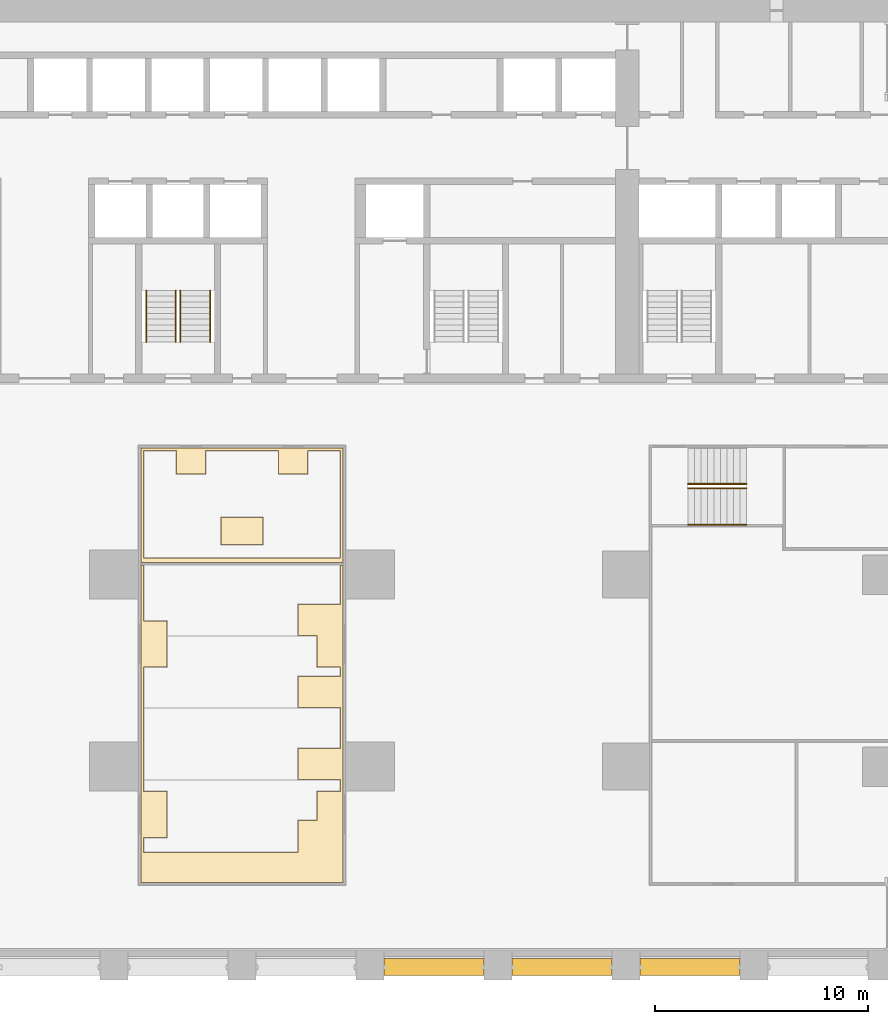
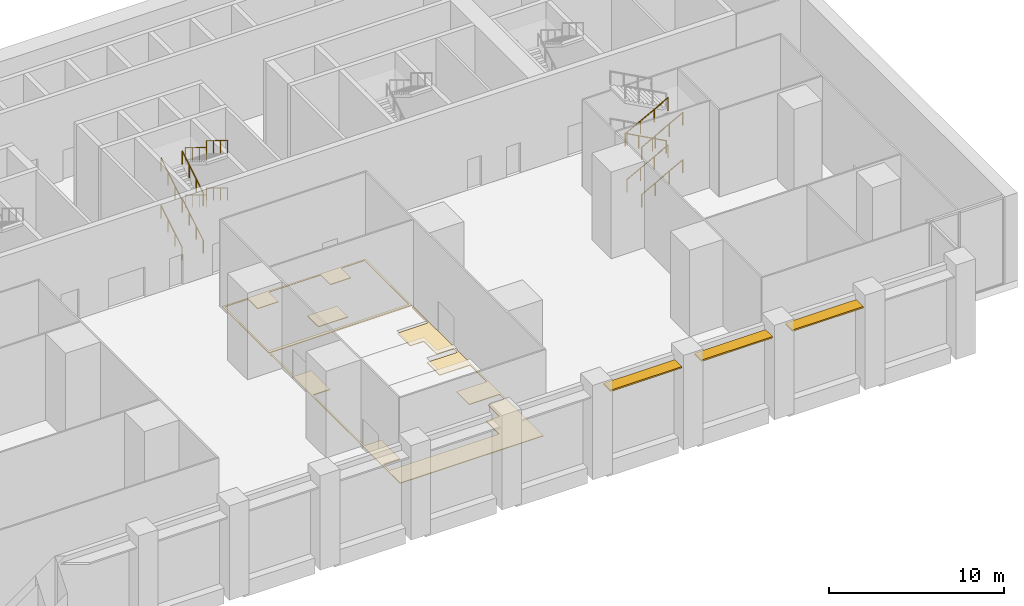
# One storey, part 17 of 18: 13 railings, 3 coverings, 3 shading devices, 2 elements without a shape of their own.
"""IFC4 building model written with IfcOpenShell, lengths in metres."""

from ifc_helpers import new_model, si_unit, direction, frame, origin, origin_2d, place, context, subcontext, project, spatial, polyline, rectangle, circle, outline, extrude, material, layer, layer_set, material_profile, profile_set, type_object, element, aggregate, save


model = new_model("IFC4")

# Units and contexts
model_context = context("Model", 3, precision=1e-05, world=origin(), true_north=direction((0.0, 1.0)))
body_context = subcontext(model_context, "Body", "Model", "MODEL_VIEW")
ifc_project = project(units=[si_unit("LENGTHUNIT", "METRE"), si_unit("AREAUNIT", "SQUARE_METRE"), si_unit("VOLUMEUNIT", "CUBIC_METRE"), si_unit("PLANEANGLEUNIT", "RADIAN"), si_unit("MASSUNIT", "GRAM", prefix="KILO")], contexts=[model_context])

# Site, building, storey
site_placement = place(None, origin())
site = spatial("IfcSite", under=ifc_project, at=site_placement, CompositionType="ELEMENT")
building_placement = place(site_placement, origin())
building = spatial("IfcBuilding", under=site, at=building_placement, Name="Calvaro Tower", CompositionType="ELEMENT")
storey_placement = place(building_placement, frame((0.0, 0.0, 11.300048828125)))
storey = spatial("IfcBuildingStorey", under=building, at=storey_placement, Name="L02", CompositionType="ELEMENT", Elevation=11.300048828125)

# Shading devices
ifc_material_1 = material(Name="Anodised aluminium", Category="aluminium")
ifc_material_profile = material_profile(ifc_material_1, rectangle(XDim=0.800048828125, YDim=0.10009765625, at=origin_2d()), Name="Brise-soleil blade 800 x 100")
ifc_profile_set = profile_set([ifc_material_profile], Name="Anodised aluminium")
shading_device_type = type_object("IfcShadingDeviceType", Name="Brise-soleil blade 800 x 100", PredefinedType="JALOUSIE", material=ifc_profile_set)
for number, where, z_axis, x_axis, name in (
    (1, (48.64990234375, 0.60009765625, 5.14990234375), (1.0, 0.0, 0.0), (0.0, 1.0, 0.0), "Brise-soleil blade 8"),
    (2, (54.64990234375, 0.60009765625, 5.14990234375), (1.0, 0.0, 0.0), (0.0, 1.0, 0.0), "Brise-soleil blade 9"),
    (3, (60.64990234375, 0.60009765625, 5.14990234375), (1.0, 0.0, 0.0), (0.0, 1.0, 0.0), "Brise-soleil blade 10"),
):
    element("IfcShadingDevice", number, at=place(storey_placement, frame(where, z_axis=z_axis, x_axis=x_axis)), inside=storey, type_object=shading_device_type, Name=name, PredefinedType="JALOUSIE", context=body_context, shape_type="SweptSolid", body=[
        extrude(rectangle(XDim=0.800048828125, YDim=0.10009765625, at=origin_2d()), origin(), (0.0, 0.0, 1.0), 4.7001953125),
    ])

# Coverings
ifc_material_2 = material(Name="Cement screed with carpet tile finish")
ifc_layer = layer(ifc_material_2, 0.050048828125)
ifc_layer_set = layer_set([ifc_layer], Name="Cement screed with carpet tile finish")
covering_type = type_object("IfcCoveringType", Name="Floor finish 50", PredefinedType="FLOORING", material=ifc_layer_set)
covering_1_placement = place(storey_placement, origin())
element("IfcCovering", 4, at=covering_1_placement, inside=storey, type_object=covering_type, Name="Floor finish 05.05", PredefinedType="FLOORING", context=body_context, shape_type="SweptSolid", body=[
    extrude(outline(polyline([(37.27001953125, 19.429931640625), (37.3798828125, 19.429931640625), (37.3798828125, 16.85009765625), (37.380126953125, 16.847900390625), (37.38037109375, 16.84619140625), (37.380859375, 16.84423828125), (37.381591796875, 16.84228515625), (37.38232421875, 16.840576171875), (37.38330078125, 16.8388671875), (37.384521484375, 16.83740234375), (37.385986328125, 16.8359375), (37.38720703125, 16.83447265625), (37.388916015625, 16.83349609375), (37.390625, 16.83251953125), (37.392333984375, 16.83154296875), (37.394287109375, 16.830810546875), (37.39599609375, 16.830322265625), (37.39794921875, 16.830078125), (37.39990234375, 16.830078125), (38.47998046875, 16.830078125), (38.47998046875, 14.669921875), (37.39990234375, 14.669921875), (37.39794921875, 14.669921875), (37.39599609375, 14.669677734375), (37.394287109375, 14.669189453125), (37.392333984375, 14.66845703125), (37.390625, 14.66748046875), (37.388916015625, 14.66650390625), (37.38720703125, 14.66552734375), (37.385986328125, 14.6640625), (37.384521484375, 14.66259765625), (37.38330078125, 14.6611328125), (37.38232421875, 14.659423828125), (37.381591796875, 14.65771484375), (37.380859375, 14.65576171875), (37.38037109375, 14.65380859375), (37.380126953125, 14.652099609375), (37.3798828125, 14.64990234375), (37.3798828125, 8.85009765625), (37.380126953125, 8.847900390625), (37.38037109375, 8.84619140625), (37.380859375, 8.84423828125), (37.381591796875, 8.84228515625), (37.38232421875, 8.840576171875), (37.38330078125, 8.8388671875), (37.384521484375, 8.83740234375), (37.385986328125, 8.8359375), (37.38720703125, 8.83447265625), (37.388916015625, 8.83349609375), (37.390625, 8.83251953125), (37.392333984375, 8.83154296875), (37.394287109375, 8.830810546875), (37.39599609375, 8.830322265625), (37.39794921875, 8.830078125), (37.39990234375, 8.830078125), (38.47998046875, 8.830078125), (38.47998046875, 6.669921875), (37.39990234375, 6.669921875), (37.39794921875, 6.669921875), (37.39599609375, 6.669677734375), (37.394287109375, 6.669189453125), (37.392333984375, 6.66845703125), (37.390625, 6.66748046875), (37.388916015625, 6.66650390625), (37.38720703125, 6.66552734375), (37.385986328125, 6.6640625), (37.384521484375, 6.66259765625), (37.38330078125, 6.6611328125), (37.38232421875, 6.659423828125), (37.381591796875, 6.65771484375), (37.380859375, 6.65576171875), (37.38037109375, 6.65380859375), (37.380126953125, 6.652099609375), (37.3798828125, 6.64990234375), (37.3798828125, 6.0), (37.380126953125, 5.998046875), (37.38037109375, 5.99609375), (37.380859375, 5.994140625), (37.381591796875, 5.9921875), (37.38232421875, 5.990478515625), (37.38330078125, 5.989013671875), (37.384521484375, 5.9873046875), (37.385986328125, 5.98583984375), (37.38720703125, 5.984619140625), (37.388916015625, 5.9833984375), (37.390625, 5.982421875), (37.392333984375, 5.9814453125), (37.394287109375, 5.98095703125), (37.39599609375, 5.98046875), (37.39794921875, 5.97998046875), (37.39990234375, 5.97998046875), (44.60009765625, 5.97998046875), (44.60205078125, 5.97998046875), (44.60400390625, 5.98046875), (44.605712890625, 5.98095703125), (44.607666015625, 5.9814453125), (44.609375, 5.982421875), (44.611083984375, 5.9833984375), (44.61279296875, 5.984619140625), (44.614013671875, 5.98583984375), (44.615478515625, 5.9873046875), (44.61669921875, 5.989013671875), (44.61767578125, 5.990478515625), (44.618408203125, 5.9921875), (44.619140625, 5.994140625), (44.61962890625, 5.99609375), (44.619873046875, 5.998046875), (44.6201171875, 6.0), (44.6201171875, 7.47998046875), (45.5, 7.47998046875), (45.501953125, 7.47998046875), (45.50390625, 7.48046875), (45.505859375, 7.48095703125), (45.5078125, 7.4814453125), (45.509521484375, 7.482421875), (45.510986328125, 7.4833984375), (45.5126953125, 7.484619140625), (45.51416015625, 7.48583984375), (45.515380859375, 7.4873046875), (45.5166015625, 7.489013671875), (45.517578125, 7.490478515625), (45.5185546875, 7.4921875), (45.51904296875, 7.494140625), (45.51953125, 7.49609375), (45.52001953125, 7.498046875), (45.52001953125, 7.5), (45.52001953125, 8.830078125), (46.60009765625, 8.830078125), (46.60205078125, 8.830078125), (46.60400390625, 8.830322265625), (46.605712890625, 8.830810546875), (46.607666015625, 8.83154296875), (46.609375, 8.83251953125), (46.611083984375, 8.83349609375), (46.61279296875, 8.83447265625), (46.614013671875, 8.8359375), (46.615478515625, 8.83740234375), (46.61669921875, 8.8388671875), (46.61767578125, 8.840576171875), (46.618408203125, 8.84228515625), (46.619140625, 8.84423828125), (46.61962890625, 8.84619140625), (46.619873046875, 8.847900390625), (46.6201171875, 8.85009765625), (46.6201171875, 9.375), (46.619873046875, 9.376953125), (46.61962890625, 9.37890625), (46.619140625, 9.380859375), (46.618408203125, 9.3828125), (46.61767578125, 9.384521484375), (46.61669921875, 9.385986328125), (46.615478515625, 9.3876953125), (46.614013671875, 9.38916015625), (46.61279296875, 9.390380859375), (46.611083984375, 9.3916015625), (46.609375, 9.392578125), (46.607666015625, 9.3935546875), (46.605712890625, 9.39404296875), (46.60400390625, 9.39453125), (46.60205078125, 9.39501953125), (46.60009765625, 9.39501953125), (44.6201171875, 9.39501953125), (44.6201171875, 10.85498046875), (46.60009765625, 10.85498046875), (46.60205078125, 10.85498046875), (46.60400390625, 10.85546875), (46.605712890625, 10.85595703125), (46.607666015625, 10.8564453125), (46.609375, 10.857421875), (46.611083984375, 10.8583984375), (46.61279296875, 10.859619140625), (46.614013671875, 10.86083984375), (46.615478515625, 10.8623046875), (46.61669921875, 10.864013671875), (46.61767578125, 10.865478515625), (46.618408203125, 10.8671875), (46.619140625, 10.869140625), (46.61962890625, 10.87109375), (46.619873046875, 10.873046875), (46.6201171875, 10.875), (46.6201171875, 12.75), (46.619873046875, 12.751953125), (46.61962890625, 12.75390625), (46.619140625, 12.755859375), (46.618408203125, 12.7578125), (46.61767578125, 12.759521484375), (46.61669921875, 12.760986328125), (46.615478515625, 12.7626953125), (46.614013671875, 12.76416015625), (46.61279296875, 12.765380859375), (46.611083984375, 12.7666015625), (46.609375, 12.767578125), (46.607666015625, 12.7685546875), (46.605712890625, 12.76904296875), (46.60400390625, 12.76953125), (46.60205078125, 12.77001953125), (46.60009765625, 12.77001953125), (44.6201171875, 12.77001953125), (44.6201171875, 14.22998046875), (46.60009765625, 14.22998046875), (46.60205078125, 14.22998046875), (46.60400390625, 14.23046875), (46.605712890625, 14.23095703125), (46.607666015625, 14.2314453125), (46.609375, 14.232421875), (46.611083984375, 14.2333984375), (46.61279296875, 14.234619140625), (46.614013671875, 14.23583984375), (46.615478515625, 14.2373046875), (46.61669921875, 14.239013671875), (46.61767578125, 14.240478515625), (46.618408203125, 14.2421875), (46.619140625, 14.244140625), (46.61962890625, 14.24609375), (46.619873046875, 14.248046875), (46.6201171875, 14.25), (46.6201171875, 14.64990234375), (46.619873046875, 14.652099609375), (46.61962890625, 14.65380859375), (46.619140625, 14.65576171875), (46.618408203125, 14.65771484375), (46.61767578125, 14.659423828125), (46.61669921875, 14.6611328125), (46.615478515625, 14.66259765625), (46.614013671875, 14.6640625), (46.61279296875, 14.66552734375), (46.611083984375, 14.66650390625), (46.609375, 14.66748046875), (46.607666015625, 14.66845703125), (46.605712890625, 14.669189453125), (46.60400390625, 14.669677734375), (46.60205078125, 14.669921875), (46.60009765625, 14.669921875), (45.52001953125, 14.669921875), (45.52001953125, 16.125), (45.52001953125, 16.126953125), (45.51953125, 16.12890625), (45.51904296875, 16.130859375), (45.5185546875, 16.1328125), (45.517578125, 16.134521484375), (45.5166015625, 16.135986328125), (45.515380859375, 16.1376953125), (45.51416015625, 16.13916015625), (45.5126953125, 16.140380859375), (45.510986328125, 16.1416015625), (45.509521484375, 16.142578125), (45.5078125, 16.1435546875), (45.505859375, 16.14404296875), (45.50390625, 16.14453125), (45.501953125, 16.14501953125), (45.5, 16.14501953125), (44.6201171875, 16.14501953125), (44.6201171875, 17.60498046875), (46.60009765625, 17.60498046875), (46.60205078125, 17.60498046875), (46.60400390625, 17.60546875), (46.605712890625, 17.60595703125), (46.607666015625, 17.6064453125), (46.609375, 17.607421875), (46.611083984375, 17.6083984375), (46.61279296875, 17.609619140625), (46.614013671875, 17.61083984375), (46.615478515625, 17.6123046875), (46.61669921875, 17.614013671875), (46.61767578125, 17.615478515625), (46.618408203125, 17.6171875), (46.619140625, 17.619140625), (46.61962890625, 17.62109375), (46.619873046875, 17.623046875), (46.6201171875, 17.625), (46.6201171875, 19.429931640625), (46.72998046875, 19.429931640625), (46.72998046875, 4.570068359375), (37.27001953125, 4.570068359375), (37.27001953125, 19.429931640625)])), origin(), (0.0, 0.0, 1.0), 0.050048828125),
])
covering_2_placement = place(storey_placement, origin())
element("IfcCovering", 5, at=covering_2_placement, inside=storey, type_object=covering_type, Name="Floor finish 05.09", PredefinedType="FLOORING", context=body_context, shape_type="SweptSolid", body=[
    extrude(outline(polyline([(42.97998046875, 20.419921875), (41.02001953125, 20.419921875), (41.02001953125, 21.679931640625), (42.97998046875, 21.679931640625), (42.97998046875, 20.419921875)])), origin(), (0.0, 0.0, 1.0), 0.050048828125),
])
covering_3_placement = place(storey_placement, origin())
element("IfcCovering", 6, at=covering_3_placement, inside=storey, type_object=covering_type, Name="Floor finish 05.09", PredefinedType="FLOORING", context=body_context, shape_type="SweptSolid", body=[
    extrude(outline(polyline([(37.27001953125, 24.929931640625), (46.72998046875, 24.929931640625), (46.72998046875, 19.570068359375), (37.27001953125, 19.570068359375), (37.27001953125, 24.929931640625)]), holes=[polyline([(38.919921875, 23.719970703125), (38.919921875, 24.800048828125), (38.919921875, 24.802001953125), (38.919677734375, 24.803955078125), (38.919189453125, 24.805908203125), (38.91845703125, 24.8076171875), (38.91748046875, 24.809326171875), (38.91650390625, 24.81103515625), (38.91552734375, 24.812744140625), (38.9140625, 24.814208984375), (38.91259765625, 24.8154296875), (38.9111328125, 24.816650390625), (38.909423828125, 24.817626953125), (38.90771484375, 24.818603515625), (38.90576171875, 24.819091796875), (38.90380859375, 24.819580078125), (38.902099609375, 24.81982421875), (38.89990234375, 24.820068359375), (37.39990234375, 24.820068359375), (37.39794921875, 24.81982421875), (37.39599609375, 24.819580078125), (37.394287109375, 24.819091796875), (37.392333984375, 24.818603515625), (37.390625, 24.817626953125), (37.388916015625, 24.816650390625), (37.38720703125, 24.8154296875), (37.385986328125, 24.814208984375), (37.384521484375, 24.812744140625), (37.38330078125, 24.81103515625), (37.38232421875, 24.809326171875), (37.381591796875, 24.8076171875), (37.380859375, 24.805908203125), (37.38037109375, 24.803955078125), (37.380126953125, 24.802001953125), (37.3798828125, 24.800048828125), (37.3798828125, 19.800048828125), (37.380126953125, 19.798095703125), (37.38037109375, 19.796142578125), (37.380859375, 19.794189453125), (37.381591796875, 19.792236328125), (37.38232421875, 19.79052734375), (37.38330078125, 19.788818359375), (37.384521484375, 19.787353515625), (37.385986328125, 19.785888671875), (37.38720703125, 19.784423828125), (37.388916015625, 19.783447265625), (37.390625, 19.782470703125), (37.392333984375, 19.781494140625), (37.394287109375, 19.781005859375), (37.39599609375, 19.780517578125), (37.39794921875, 19.780029296875), (37.39990234375, 19.780029296875), (46.60009765625, 19.780029296875), (46.60205078125, 19.780029296875), (46.60400390625, 19.780517578125), (46.605712890625, 19.781005859375), (46.607666015625, 19.781494140625), (46.609375, 19.782470703125), (46.611083984375, 19.783447265625), (46.61279296875, 19.784423828125), (46.614013671875, 19.785888671875), (46.615478515625, 19.787353515625), (46.61669921875, 19.788818359375), (46.61767578125, 19.79052734375), (46.618408203125, 19.792236328125), (46.619140625, 19.794189453125), (46.61962890625, 19.796142578125), (46.619873046875, 19.798095703125), (46.6201171875, 19.800048828125), (46.6201171875, 24.800048828125), (46.619873046875, 24.802001953125), (46.61962890625, 24.803955078125), (46.619140625, 24.805908203125), (46.618408203125, 24.8076171875), (46.61767578125, 24.809326171875), (46.61669921875, 24.81103515625), (46.615478515625, 24.812744140625), (46.614013671875, 24.814208984375), (46.61279296875, 24.8154296875), (46.611083984375, 24.816650390625), (46.609375, 24.817626953125), (46.607666015625, 24.818603515625), (46.605712890625, 24.819091796875), (46.60400390625, 24.819580078125), (46.60205078125, 24.81982421875), (46.60009765625, 24.820068359375), (45.10009765625, 24.820068359375), (45.097900390625, 24.81982421875), (45.09619140625, 24.819580078125), (45.09423828125, 24.819091796875), (45.09228515625, 24.818603515625), (45.090576171875, 24.817626953125), (45.0888671875, 24.816650390625), (45.08740234375, 24.8154296875), (45.0859375, 24.814208984375), (45.08447265625, 24.812744140625), (45.08349609375, 24.81103515625), (45.08251953125, 24.809326171875), (45.08154296875, 24.8076171875), (45.080810546875, 24.805908203125), (45.080322265625, 24.803955078125), (45.080078125, 24.802001953125), (45.080078125, 24.800048828125), (45.080078125, 23.719970703125), (43.719970703125, 23.719970703125), (43.719970703125, 24.800048828125), (43.719970703125, 24.802001953125), (43.719482421875, 24.803955078125), (43.718994140625, 24.805908203125), (43.718505859375, 24.8076171875), (43.717529296875, 24.809326171875), (43.716552734375, 24.81103515625), (43.715576171875, 24.812744140625), (43.714111328125, 24.814208984375), (43.712646484375, 24.8154296875), (43.711181640625, 24.816650390625), (43.70947265625, 24.817626953125), (43.707763671875, 24.818603515625), (43.705810546875, 24.819091796875), (43.703857421875, 24.819580078125), (43.701904296875, 24.81982421875), (43.699951171875, 24.820068359375), (40.300048828125, 24.820068359375), (40.298095703125, 24.81982421875), (40.296142578125, 24.819580078125), (40.294189453125, 24.819091796875), (40.292236328125, 24.818603515625), (40.29052734375, 24.817626953125), (40.288818359375, 24.816650390625), (40.287353515625, 24.8154296875), (40.285888671875, 24.814208984375), (40.284423828125, 24.812744140625), (40.283447265625, 24.81103515625), (40.282470703125, 24.809326171875), (40.281494140625, 24.8076171875), (40.281005859375, 24.805908203125), (40.280517578125, 24.803955078125), (40.280029296875, 24.802001953125), (40.280029296875, 24.800048828125), (40.280029296875, 23.719970703125), (38.919921875, 23.719970703125)])]), origin(), (0.0, 0.0, 1.0), 0.050048828125),
])

# Stair, railings
ifc_material_3 = material(Name="Concrete C40/50", Category="concrete")
stair_type_1 = type_object("IfcStairType", Name="Exit stair 1400 4 flights", PredefinedType="DOUBLE_RETURN_STAIR", material=ifc_material_3)
stair_1_placement = place(storey_placement, origin())
stair_1 = element("IfcStair", 7, at=stair_1_placement, inside=storey, type_object=stair_type_1, Name="Exit stair S3", PredefinedType="DOUBLE_RETURN_STAIR")
ifc_material_4 = material(Name="Stainless steel", Category="steel")
railing_type = type_object("IfcRailingType", Name="Stair handrail", PredefinedType="HANDRAIL", material=ifc_material_4)
railing_1_placement = place(storey_placement, frame((38.89990234375, 29.89990234375, 0.1650390625)))
railing_1 = element("IfcRailing", 8, at=railing_1_placement, type_object=railing_type, Name="Exit stair 3 handrail", PredefinedType="HANDRAIL", context=body_context, shape_type="SweptSolid", body=[
    extrude(circle(Radius=0.02392578125, at=origin_2d()), frame((0.0, 0.0, 0.8759765625), z_axis=(0.0, 0.853319974774, 0.521387591579), x_axis=(-1.0, 0.0, 0.0)), (0.0, 0.0, 1.0), 2.847900390625),
    extrude(circle(Radius=0.02099609375, at=origin_2d()), frame((0.0, 0.017822265625, 0.010986328125)), (0.0, 0.0, 1.0), 0.851806640625),
    extrude(circle(Radius=0.02099609375, at=origin_2d()), frame((0.0, 0.81005859375, 0.494873046875)), (0.0, 0.0, 1.0), 0.851806640625),
    extrude(circle(Radius=0.02099609375, at=origin_2d()), frame((0.0, 1.6201171875, 0.989990234375)), (0.0, 0.0, 1.0), 0.851806640625),
    extrude(circle(Radius=0.02099609375, at=origin_2d()), frame((0.0, 2.412353515625, 1.473876953125)), (0.0, 0.0, 1.0), 0.851806640625),
])
railing_2_placement = place(storey_placement, frame((37.5, 29.89990234375, 0.1650390625)))
railing_2 = element("IfcRailing", 9, at=railing_2_placement, type_object=railing_type, Name="Exit stair 3 handrail", PredefinedType="HANDRAIL", context=body_context, shape_type="SweptSolid", body=[
    extrude(circle(Radius=0.02392578125, at=origin_2d()), frame((0.0, 0.0, 0.8759765625), z_axis=(0.0, 0.853319974774, 0.521387591579), x_axis=(-1.0, 0.0, 0.0)), (0.0, 0.0, 1.0), 2.847900390625),
    extrude(circle(Radius=0.02099609375, at=origin_2d()), frame((0.0, 0.017822265625, 0.010986328125)), (0.0, 0.0, 1.0), 0.851806640625),
    extrude(circle(Radius=0.02099609375, at=origin_2d()), frame((0.0, 0.81005859375, 0.494873046875)), (0.0, 0.0, 1.0), 0.851806640625),
    extrude(circle(Radius=0.02099609375, at=origin_2d()), frame((0.0, 1.6201171875, 0.989990234375)), (0.0, 0.0, 1.0), 0.851806640625),
    extrude(circle(Radius=0.02099609375, at=origin_2d()), frame((0.0, 2.412353515625, 1.473876953125)), (0.0, 0.0, 1.0), 0.851806640625),
])
railing_3_placement = place(storey_placement, frame((39.10009765625, 32.330078125, 1.81494140625)))
railing_3 = element("IfcRailing", 10, at=railing_3_placement, type_object=railing_type, Name="Exit stair 3 handrail", PredefinedType="HANDRAIL", context=body_context, shape_type="SweptSolid", body=[
    extrude(circle(Radius=0.02392578125, at=origin_2d()), frame((0.0, 0.0, 0.8759765625), z_axis=(0.0, -0.853281833652, 0.521450009454), x_axis=(1.0, 0.0, 0.0)), (0.0, 0.0, 1.0), 2.84814453125),
    extrude(circle(Radius=0.02099609375, at=origin_2d()), frame((0.0, -0.017822265625, 0.010986328125)), (0.0, 0.0, 1.0), 0.851806640625),
    extrude(circle(Radius=0.02099609375, at=origin_2d()), frame((0.0, -0.81005859375, 0.4951171875)), (0.0, 0.0, 1.0), 0.851806640625),
    extrude(circle(Radius=0.02099609375, at=origin_2d()), frame((0.0, -1.6201171875, 0.989990234375)), (0.0, 0.0, 1.0), 0.851806640625),
    extrude(circle(Radius=0.02099609375, at=origin_2d()), frame((0.0, -2.412353515625, 1.47412109375)), (0.0, 0.0, 1.0), 0.851806640625),
])
railing_4_placement = place(storey_placement, frame((40.5, 32.330078125, 1.81494140625)))
railing_4 = element("IfcRailing", 11, at=railing_4_placement, type_object=railing_type, Name="Exit stair 3 handrail", PredefinedType="HANDRAIL", context=body_context, shape_type="SweptSolid", body=[
    extrude(circle(Radius=0.02392578125, at=origin_2d()), frame((0.0, 0.0, 0.8759765625), z_axis=(0.0, -0.853281833652, 0.521450009454), x_axis=(1.0, 0.0, 0.0)), (0.0, 0.0, 1.0), 2.84814453125),
    extrude(circle(Radius=0.02099609375, at=origin_2d()), frame((0.0, -0.017822265625, 0.010986328125)), (0.0, 0.0, 1.0), 0.851806640625),
    extrude(circle(Radius=0.02099609375, at=origin_2d()), frame((0.0, -0.81005859375, 0.4951171875)), (0.0, 0.0, 1.0), 0.851806640625),
    extrude(circle(Radius=0.02099609375, at=origin_2d()), frame((0.0, -1.6201171875, 0.989990234375)), (0.0, 0.0, 1.0), 0.851806640625),
    extrude(circle(Radius=0.02099609375, at=origin_2d()), frame((0.0, -2.412353515625, 1.47412109375)), (0.0, 0.0, 1.0), 0.851806640625),
])
railing_5_placement = place(storey_placement, frame((38.89990234375, 29.89990234375, 3.46484375)))
railing_5 = element("IfcRailing", 12, at=railing_5_placement, type_object=railing_type, Name="Exit stair 3 handrail", PredefinedType="HANDRAIL", context=body_context, shape_type="SweptSolid", body=[
    extrude(circle(Radius=0.02392578125, at=origin_2d()), frame((0.0, 0.0, 0.8759765625), z_axis=(0.0, 0.853281833652, 0.521450009454), x_axis=(-1.0, 0.0, 0.0)), (0.0, 0.0, 1.0), 2.84814453125),
    extrude(circle(Radius=0.02099609375, at=origin_2d()), frame((0.0, 0.017822265625, 0.010986328125)), (0.0, 0.0, 1.0), 0.851806640625),
    extrude(circle(Radius=0.02099609375, at=origin_2d()), frame((0.0, 0.81005859375, 0.4951171875)), (0.0, 0.0, 1.0), 0.851806640625),
    extrude(circle(Radius=0.02099609375, at=origin_2d()), frame((0.0, 1.6201171875, 0.989990234375)), (0.0, 0.0, 1.0), 0.851806640625),
    extrude(circle(Radius=0.02099609375, at=origin_2d()), frame((0.0, 2.412353515625, 1.47412109375)), (0.0, 0.0, 1.0), 0.851806640625),
])
railing_6_placement = place(storey_placement, frame((37.5, 29.89990234375, 3.46484375)))
railing_6 = element("IfcRailing", 13, at=railing_6_placement, type_object=railing_type, Name="Exit stair 3 handrail", PredefinedType="HANDRAIL", context=body_context, shape_type="SweptSolid", body=[
    extrude(circle(Radius=0.02392578125, at=origin_2d()), frame((0.0, 0.0, 0.8759765625), z_axis=(0.0, 0.853281833652, 0.521450009454), x_axis=(-1.0, 0.0, 0.0)), (0.0, 0.0, 1.0), 2.84814453125),
    extrude(circle(Radius=0.02099609375, at=origin_2d()), frame((0.0, 0.017822265625, 0.010986328125)), (0.0, 0.0, 1.0), 0.851806640625),
    extrude(circle(Radius=0.02099609375, at=origin_2d()), frame((0.0, 0.81005859375, 0.4951171875)), (0.0, 0.0, 1.0), 0.851806640625),
    extrude(circle(Radius=0.02099609375, at=origin_2d()), frame((0.0, 1.6201171875, 0.989990234375)), (0.0, 0.0, 1.0), 0.851806640625),
    extrude(circle(Radius=0.02099609375, at=origin_2d()), frame((0.0, 2.412353515625, 1.47412109375)), (0.0, 0.0, 1.0), 0.851806640625),
])
railing_7_placement = place(storey_placement, frame((39.10009765625, 32.330078125, 5.114990234375)))
railing_7 = element("IfcRailing", 14, at=railing_7_placement, type_object=railing_type, Name="Exit stair 3 handrail", PredefinedType="HANDRAIL", context=body_context, shape_type="SweptSolid", body=[
    extrude(circle(Radius=0.02392578125, at=origin_2d()), frame((0.0, 0.0, 0.8759765625), z_axis=(0.0, -0.853319974774, 0.521387591579), x_axis=(1.0, 0.0, 0.0)), (0.0, 0.0, 1.0), 2.847900390625),
    extrude(circle(Radius=0.02099609375, at=origin_2d()), frame((0.0, -0.017822265625, 0.010986328125)), (0.0, 0.0, 1.0), 0.851806640625),
    extrude(circle(Radius=0.02099609375, at=origin_2d()), frame((0.0, -0.81005859375, 0.494873046875)), (0.0, 0.0, 1.0), 0.851806640625),
    extrude(circle(Radius=0.02099609375, at=origin_2d()), frame((0.0, -1.6201171875, 0.989990234375)), (0.0, 0.0, 1.0), 0.851806640625),
    extrude(circle(Radius=0.02099609375, at=origin_2d()), frame((0.0, -2.412353515625, 1.473876953125)), (0.0, 0.0, 1.0), 0.851806640625),
])
railing_8_placement = place(storey_placement, frame((40.5, 32.330078125, 5.114990234375)))
railing_8 = element("IfcRailing", 15, at=railing_8_placement, type_object=railing_type, Name="Exit stair 3 handrail", PredefinedType="HANDRAIL", context=body_context, shape_type="SweptSolid", body=[
    extrude(circle(Radius=0.02392578125, at=origin_2d()), frame((0.0, 0.0, 0.8759765625), z_axis=(0.0, -0.853319974774, 0.521387591579), x_axis=(1.0, 0.0, 0.0)), (0.0, 0.0, 1.0), 2.847900390625),
    extrude(circle(Radius=0.02099609375, at=origin_2d()), frame((0.0, -0.017822265625, 0.010986328125)), (0.0, 0.0, 1.0), 0.851806640625),
    extrude(circle(Radius=0.02099609375, at=origin_2d()), frame((0.0, -0.81005859375, 0.494873046875)), (0.0, 0.0, 1.0), 0.851806640625),
    extrude(circle(Radius=0.02099609375, at=origin_2d()), frame((0.0, -1.6201171875, 0.989990234375)), (0.0, 0.0, 1.0), 0.851806640625),
    extrude(circle(Radius=0.02099609375, at=origin_2d()), frame((0.0, -2.412353515625, 1.473876953125)), (0.0, 0.0, 1.0), 0.851806640625),
])
aggregate(stair_1, [railing_1, railing_2, railing_3, railing_4, railing_5, railing_6, railing_7, railing_8])

ifc_material_5 = material(Name="Concrete C40/50", Category="concrete")
stair_type_2 = type_object("IfcStairType", Name="Exit stair 1700 4 flights", PredefinedType="DOUBLE_RETURN_STAIR", material=ifc_material_5)
stair_2_placement = place(storey_placement, origin())
stair_2 = element("IfcStair", 16, at=stair_2_placement, inside=storey, type_object=stair_type_2, Name="Exit stair 7", PredefinedType="DOUBLE_RETURN_STAIR")
railing_9_placement = place(storey_placement, frame((62.89990234375, 23.050048828125, 0.1650390625)))
railing_9 = element("IfcRailing", 17, at=railing_9_placement, type_object=railing_type, Name="Exit stair 7 handrail", PredefinedType="HANDRAIL", context=body_context, shape_type="SweptSolid", body=[
    extrude(circle(Radius=0.02392578125, at=origin_2d()), frame((0.0, 0.0, 0.8759765625), z_axis=(0.879570278908, 0.0, 0.475768982241), x_axis=(0.0, 1.0, 0.0)), (0.0, 0.0, 1.0), 3.12109375),
    extrude(circle(Radius=0.02099609375, at=origin_2d()), frame((0.0185546875, 0.0, 0.010009765625)), (0.0, 0.0, 1.0), 0.851806640625),
    extrude(circle(Radius=0.02099609375, at=origin_2d()), frame((0.9150390625, 0.0, 0.494873046875)), (0.0, 0.0, 1.0), 0.851806640625),
    extrude(circle(Radius=0.02099609375, at=origin_2d()), frame((1.830078125, 0.0, 0.989990234375)), (0.0, 0.0, 1.0), 0.851806640625),
    extrude(circle(Radius=0.02099609375, at=origin_2d()), frame((2.7265625, 0.0, 1.474853515625)), (0.0, 0.0, 1.0), 0.851806640625),
])
railing_10_placement = place(storey_placement, frame((62.89990234375, 21.35009765625, 0.1650390625)))
railing_10 = element("IfcRailing", 18, at=railing_10_placement, type_object=railing_type, Name="Exit stair 7 handrail", PredefinedType="HANDRAIL", context=body_context, shape_type="SweptSolid", body=[
    extrude(circle(Radius=0.02392578125, at=origin_2d()), frame((0.0, 0.0, 0.8759765625), z_axis=(0.879570278908, 0.0, 0.475768982241), x_axis=(0.0, 1.0, 0.0)), (0.0, 0.0, 1.0), 3.12109375),
    extrude(circle(Radius=0.02099609375, at=origin_2d()), frame((0.0185546875, 0.0, 0.010009765625)), (0.0, 0.0, 1.0), 0.851806640625),
    extrude(circle(Radius=0.02099609375, at=origin_2d()), frame((0.9150390625, 0.0, 0.494873046875)), (0.0, 0.0, 1.0), 0.851806640625),
    extrude(circle(Radius=0.02099609375, at=origin_2d()), frame((1.830078125, 0.0, 0.989990234375)), (0.0, 0.0, 1.0), 0.851806640625),
    extrude(circle(Radius=0.02099609375, at=origin_2d()), frame((2.7265625, 0.0, 1.474853515625)), (0.0, 0.0, 1.0), 0.851806640625),
])
railing_11_placement = place(storey_placement, frame((65.64501953125, 23.25, 1.81494140625)))
railing_11 = element("IfcRailing", 19, at=railing_11_placement, type_object=railing_type, Name="Exit stair 7 handrail", PredefinedType="HANDRAIL", context=body_context, shape_type="SweptSolid", body=[
    extrude(circle(Radius=0.02392578125, at=origin_2d()), frame((0.0, 0.0, 0.8759765625), z_axis=(-0.87953754274, 0.0, 0.475829497731), x_axis=(0.0, -1.0, 0.0)), (0.0, 0.0, 1.0), 3.12109375),
    extrude(circle(Radius=0.02099609375, at=origin_2d()), frame((-0.0185546875, 0.0, 0.010009765625)), (0.0, 0.0, 1.0), 0.851806640625),
    extrude(circle(Radius=0.02099609375, at=origin_2d()), frame((-0.9150390625, 0.0, 0.4951171875)), (0.0, 0.0, 1.0), 0.851806640625),
    extrude(circle(Radius=0.02099609375, at=origin_2d()), frame((-1.830078125, 0.0, 0.989990234375)), (0.0, 0.0, 1.0), 0.851806640625),
    extrude(circle(Radius=0.02099609375, at=origin_2d()), frame((-2.7265625, 0.0, 1.47509765625)), (0.0, 0.0, 1.0), 0.851806640625),
])
railing_12_placement = place(storey_placement, frame((62.89990234375, 23.050048828125, 3.46484375)))
railing_12 = element("IfcRailing", 20, at=railing_12_placement, type_object=railing_type, Name="Exit stair 7 handrail", PredefinedType="HANDRAIL", context=body_context, shape_type="SweptSolid", body=[
    extrude(circle(Radius=0.02392578125, at=origin_2d()), frame((0.0, 0.0, 0.8759765625), z_axis=(0.87953754274, 0.0, 0.475829497731), x_axis=(0.0, 1.0, 0.0)), (0.0, 0.0, 1.0), 3.12109375),
    extrude(circle(Radius=0.02099609375, at=origin_2d()), frame((0.0185546875, 0.0, 0.010009765625)), (0.0, 0.0, 1.0), 0.851806640625),
    extrude(circle(Radius=0.02099609375, at=origin_2d()), frame((0.9150390625, 0.0, 0.4951171875)), (0.0, 0.0, 1.0), 0.851806640625),
    extrude(circle(Radius=0.02099609375, at=origin_2d()), frame((1.830078125, 0.0, 0.989990234375)), (0.0, 0.0, 1.0), 0.851806640625),
    extrude(circle(Radius=0.02099609375, at=origin_2d()), frame((2.7265625, 0.0, 1.47509765625)), (0.0, 0.0, 1.0), 0.851806640625),
])
railing_13_placement = place(storey_placement, frame((62.89990234375, 21.35009765625, 3.46484375)))
railing_13 = element("IfcRailing", 21, at=railing_13_placement, type_object=railing_type, Name="Exit stair 7 handrail", PredefinedType="HANDRAIL", context=body_context, shape_type="SweptSolid", body=[
    extrude(circle(Radius=0.02392578125, at=origin_2d()), frame((0.0, 0.0, 0.8759765625), z_axis=(0.87953754274, 0.0, 0.475829497731), x_axis=(0.0, 1.0, 0.0)), (0.0, 0.0, 1.0), 3.12109375),
    extrude(circle(Radius=0.02099609375, at=origin_2d()), frame((0.0185546875, 0.0, 0.010009765625)), (0.0, 0.0, 1.0), 0.851806640625),
    extrude(circle(Radius=0.02099609375, at=origin_2d()), frame((0.9150390625, 0.0, 0.4951171875)), (0.0, 0.0, 1.0), 0.851806640625),
    extrude(circle(Radius=0.02099609375, at=origin_2d()), frame((1.830078125, 0.0, 0.989990234375)), (0.0, 0.0, 1.0), 0.851806640625),
    extrude(circle(Radius=0.02099609375, at=origin_2d()), frame((2.7265625, 0.0, 1.47509765625)), (0.0, 0.0, 1.0), 0.851806640625),
])
aggregate(stair_2, [railing_9, railing_10, railing_11, railing_12, railing_13])

save(model, "model.ifc")
